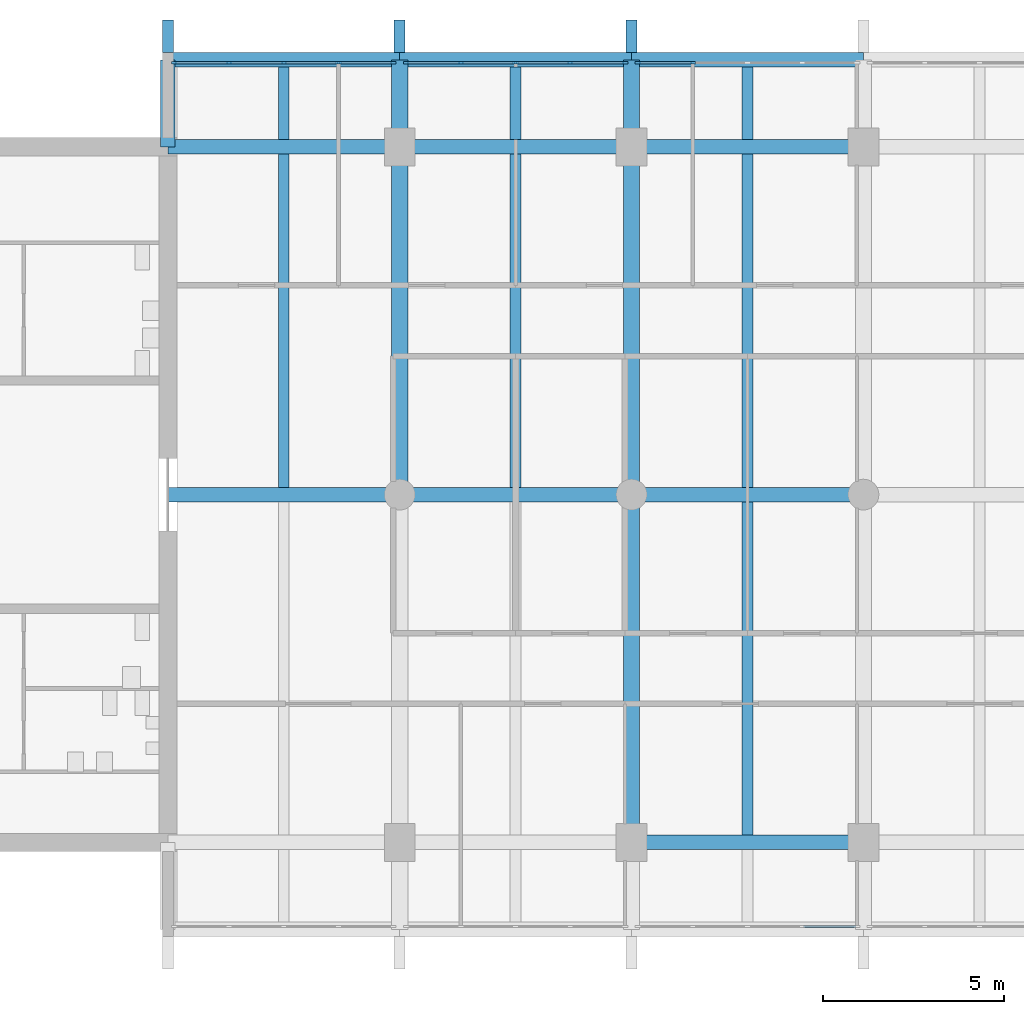
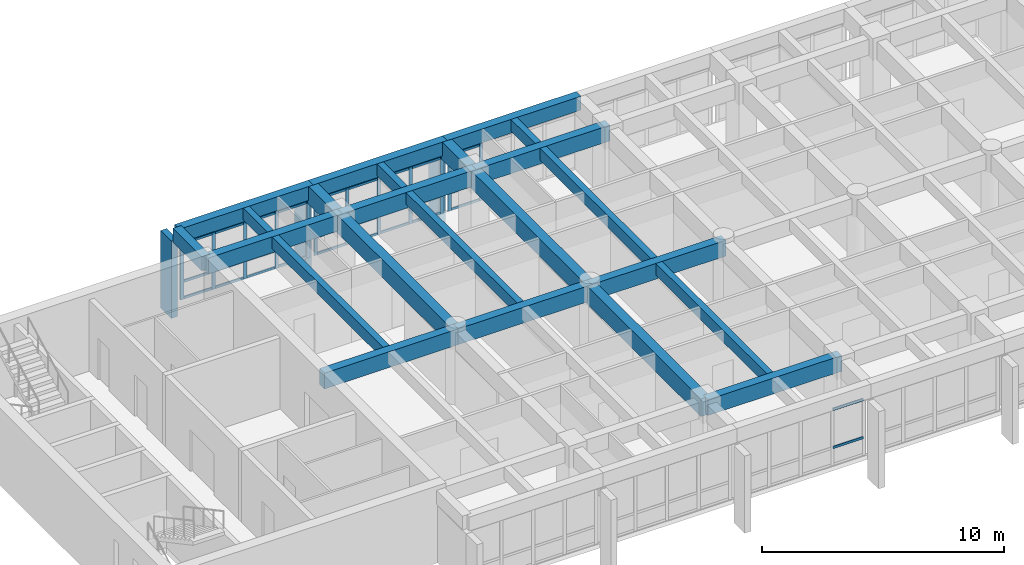
# One storey, part 3 of 15: 44 members, 23 beams, 4 elements without a shape of their own.
"""IFC4 building model written with IfcOpenShell, lengths in metres."""

from ifc_helpers import new_model, si_unit, direction, frame, origin, origin_2d, place, context, subcontext, project, spatial, rectangle, extrude, material, layer, layer_set, material_profile, profile_set, type_object, element, aggregate, save


model = new_model("IFC4")

# Units and contexts
model_context = context("Model", 3, precision=1e-05, world=origin(), true_north=direction((0.0, 1.0)))
body_context = subcontext(model_context, "Body", "Model", "MODEL_VIEW")
ifc_project = project(units=[si_unit("LENGTHUNIT", "METRE"), si_unit("AREAUNIT", "SQUARE_METRE"), si_unit("VOLUMEUNIT", "CUBIC_METRE"), si_unit("PLANEANGLEUNIT", "RADIAN"), si_unit("MASSUNIT", "GRAM", prefix="KILO")], contexts=[model_context])

# Site, building, storey
site_placement = place(None, origin())
site = spatial("IfcSite", under=ifc_project, at=site_placement, CompositionType="ELEMENT")
building_placement = place(site_placement, origin())
building = spatial("IfcBuilding", under=site, at=building_placement, Name="Fogon Plaza Fire Station and Headquarters Tower", CompositionType="ELEMENT")
storey_placement = place(building_placement, frame((0.0, 0.0, 52.199951171875)))
storey = spatial("IfcBuildingStorey", under=building, at=storey_placement, Name="L13", CompositionType="ELEMENT", Elevation=52.199951171875)

# Beams
ifc_material_1 = material(Name="Concrete C40", Category="concrete")
ifc_material_profile_1 = material_profile(ifc_material_1, rectangle(XDim=0.39990234375, YDim=0.699951171875, at=origin_2d()), Name="RC 400x700")
ifc_profile_set_1 = profile_set([ifc_material_profile_1], Name="Concrete C40")
beam_type_1 = type_object("IfcBeamType", Name="BEAM RC 400x700", PredefinedType="BEAM", material=ifc_profile_set_1)
for number, where, z_axis, x_axis, name in (
    (1, (25.60009765625, 55.199951171875, 3.330078125), (1.0, 0.0, 0.0), (0.0, 1.0, 0.0), "beam-L13-045"),
    (2, (32.0, 55.199951171875, 3.330078125), (1.0, 0.0, 0.0), (0.0, 1.0, 0.0), "beam-L13-046"),
):
    element("IfcBeam", number, at=place(storey_placement, frame(where, z_axis=z_axis, x_axis=x_axis)), inside=storey, type_object=beam_type_1, Name=name, PredefinedType="BEAM", context=body_context, shape_type="SweptSolid", body=[
        extrude(rectangle(XDim=0.39990234375, YDim=0.699951171875, at=origin_2d()), origin(), (0.0, 0.0, 1.0), 6.39990234375),
    ])
beam_1_placement = place(storey_placement, frame((38.39990234375, 55.199951171875, 3.330078125), z_axis=(1.0, 0.0, 0.0), x_axis=(0.0, 1.0, 0.0)))
element("IfcBeam", 3, at=beam_1_placement, inside=storey, type_object=beam_type_1, Name="beam-L13-047", PredefinedType="BEAM", context=body_context, shape_type="SweptSolid", body=[
    extrude(rectangle(XDim=0.39990234375, YDim=0.699951171875, at=origin_2d()), origin(), (0.0, 0.0, 1.0), 6.400146484375),
])
ifc_material_2 = material(Name="Concrete C40", Category="concrete")
ifc_material_profile_2 = material_profile(ifc_material_2, rectangle(XDim=0.39990234375, YDim=0.699951171875, at=origin_2d()), Name="RC 400x700")
ifc_profile_set_2 = profile_set([ifc_material_profile_2], Name="Concrete C40")
beam_type_2 = type_object("IfcBeamType", Name="BEAM RC 400x700 SPAN 0.0 TO 3.0 M", PredefinedType="BEAM", material=ifc_profile_set_2)
beam_2_placement = place(storey_placement, frame((25.60009765625, 52.800048828125, 3.330078125), z_axis=(0.0, 1.0, 0.0), x_axis=(-1.0, 0.0, 0.0)))
element("IfcBeam", 4, at=beam_2_placement, inside=storey, type_object=beam_type_2, Name="beam-L13-052", PredefinedType="BEAM", context=body_context, shape_type="SweptSolid", body=[
    extrude(rectangle(XDim=0.39990234375, YDim=0.699951171875, at=origin_2d()), origin(), (0.0, 0.0, 1.0), 2.39990234375),
])
ifc_material_3 = material(Name="Concrete C40", Category="concrete")
ifc_material_profile_3 = material_profile(ifc_material_3, rectangle(XDim=0.39990234375, YDim=0.800048828125, at=origin_2d()), Name="RC 400x800")
ifc_profile_set_3 = profile_set([ifc_material_profile_3], Name="Concrete C40")
beam_type_3 = type_object("IfcBeamType", Name="BEAM RC 400x800", PredefinedType="BEAM", material=ifc_profile_set_3)
beam_3_placement = place(storey_placement, frame((38.39990234375, 33.60009765625, 3.280029296875), z_axis=(1.0, 0.0, 0.0), x_axis=(0.0, 1.0, 0.0)))
element("IfcBeam", 5, at=beam_3_placement, inside=storey, type_object=beam_type_3, Name="beam-L13-023", PredefinedType="BEAM", context=body_context, shape_type="SweptSolid", body=[
    extrude(rectangle(XDim=0.39990234375, YDim=0.800048828125, at=origin_2d()), origin(), (0.0, 0.0, 1.0), 6.400146484375),
])
for number, where, z_axis, x_axis, name in (
    (6, (25.60009765625, 43.199951171875, 3.280029296875), (1.0, 0.0, 0.0), (0.0, 1.0, 0.0), "beam-L13-027"),
    (7, (32.0, 43.199951171875, 3.280029296875), (1.0, 0.0, 0.0), (0.0, 1.0, 0.0), "beam-L13-028"),
):
    element("IfcBeam", number, at=place(storey_placement, frame(where, z_axis=z_axis, x_axis=x_axis)), inside=storey, type_object=beam_type_3, Name=name, PredefinedType="BEAM", context=body_context, shape_type="SweptSolid", body=[
        extrude(rectangle(XDim=0.39990234375, YDim=0.800048828125, at=origin_2d()), origin(), (0.0, 0.0, 1.0), 6.39990234375),
    ])
beam_4_placement = place(storey_placement, frame((38.39990234375, 43.199951171875, 3.280029296875), z_axis=(1.0, 0.0, 0.0), x_axis=(0.0, 1.0, 0.0)))
element("IfcBeam", 8, at=beam_4_placement, inside=storey, type_object=beam_type_3, Name="beam-L13-029", PredefinedType="BEAM", context=body_context, shape_type="SweptSolid", body=[
    extrude(rectangle(XDim=0.39990234375, YDim=0.800048828125, at=origin_2d()), origin(), (0.0, 0.0, 1.0), 6.400146484375),
])
for number, where, z_axis, x_axis, name in (
    (9, (25.60009765625, 52.800048828125, 3.280029296875), (1.0, 0.0, 0.0), (0.0, 1.0, 0.0), "beam-L13-033"),
    (10, (32.0, 52.800048828125, 3.280029296875), (1.0, 0.0, 0.0), (0.0, 1.0, 0.0), "beam-L13-034"),
):
    element("IfcBeam", number, at=place(storey_placement, frame(where, z_axis=z_axis, x_axis=x_axis)), inside=storey, type_object=beam_type_3, Name=name, PredefinedType="BEAM", context=body_context, shape_type="SweptSolid", body=[
        extrude(rectangle(XDim=0.39990234375, YDim=0.800048828125, at=origin_2d()), origin(), (0.0, 0.0, 1.0), 6.39990234375),
    ])
beam_5_placement = place(storey_placement, frame((38.39990234375, 52.800048828125, 3.280029296875), z_axis=(1.0, 0.0, 0.0), x_axis=(0.0, 1.0, 0.0)))
element("IfcBeam", 11, at=beam_5_placement, inside=storey, type_object=beam_type_3, Name="beam-L13-035", PredefinedType="BEAM", context=body_context, shape_type="SweptSolid", body=[
    extrude(rectangle(XDim=0.39990234375, YDim=0.800048828125, at=origin_2d()), origin(), (0.0, 0.0, 1.0), 6.400146484375),
])
ifc_material_4 = material(Name="Concrete C40", Category="concrete")
ifc_material_profile_4 = material_profile(ifc_material_4, rectangle(XDim=0.449951171875, YDim=0.89990234375, at=origin_2d()), Name="RC 450x900")
ifc_profile_set_4 = profile_set([ifc_material_profile_4], Name="Concrete C40")
beam_type_4 = type_object("IfcBeamType", Name="BEAM RC 450x900", PredefinedType="BEAM", material=ifc_profile_set_4)
beam_6_placement = place(storey_placement, frame((32.0, 43.199951171875, 3.22998046875), z_axis=(0.0, 1.0, 0.0), x_axis=(-1.0, 0.0, 0.0)))
element("IfcBeam", 12, at=beam_6_placement, inside=storey, type_object=beam_type_4, Name="beam-L13-003", PredefinedType="BEAM", context=body_context, shape_type="SweptSolid", body=[
    extrude(rectangle(XDim=0.449951171875, YDim=0.89990234375, at=origin_2d()), origin(), (0.0, 0.0, 1.0), 9.60009765625),
])
beam_7_placement = place(storey_placement, frame((38.39990234375, 33.60009765625, 3.22998046875), z_axis=(0.0, 1.0, 0.0), x_axis=(-1.0, 0.0, 0.0)))
element("IfcBeam", 13, at=beam_7_placement, inside=storey, type_object=beam_type_4, Name="beam-L13-006", PredefinedType="BEAM", context=body_context, shape_type="SweptSolid", body=[
    extrude(rectangle(XDim=0.449951171875, YDim=0.89990234375, at=origin_2d()), origin(), (0.0, 0.0, 1.0), 9.599853515625),
])
beam_8_placement = place(storey_placement, frame((38.39990234375, 43.199951171875, 3.22998046875), z_axis=(0.0, 1.0, 0.0), x_axis=(-1.0, 0.0, 0.0)))
element("IfcBeam", 14, at=beam_8_placement, inside=storey, type_object=beam_type_4, Name="beam-L13-007", PredefinedType="BEAM", context=body_context, shape_type="SweptSolid", body=[
    extrude(rectangle(XDim=0.449951171875, YDim=0.89990234375, at=origin_2d()), origin(), (0.0, 0.0, 1.0), 9.60009765625),
])
ifc_material_5 = material(Name="Concrete C40", Category="concrete")
ifc_material_profile_5 = material_profile(ifc_material_5, rectangle(XDim=0.449951171875, YDim=0.89990234375, at=origin_2d()), Name="RC 450x900")
ifc_profile_set_5 = profile_set([ifc_material_profile_5], Name="Concrete C40")
beam_type_5 = type_object("IfcBeamType", Name="BEAM RC 450x900 SPAN 0.0 TO 3.0 M", PredefinedType="BEAM", material=ifc_profile_set_5)
for number, where, z_axis, x_axis, name in (
    (15, (32.0, 52.800048828125, 3.22998046875), (0.0, 1.0, 0.0), (-1.0, 0.0, 0.0), "beam-L13-004"),
    (16, (38.39990234375, 52.800048828125, 3.22998046875), (0.0, 1.0, 0.0), (-1.0, 0.0, 0.0), "beam-L13-008"),
):
    element("IfcBeam", number, at=place(storey_placement, frame(where, z_axis=z_axis, x_axis=x_axis)), inside=storey, type_object=beam_type_5, Name=name, PredefinedType="BEAM", context=body_context, shape_type="SweptSolid", body=[
        extrude(rectangle(XDim=0.449951171875, YDim=0.89990234375, at=origin_2d()), origin(), (0.0, 0.0, 1.0), 2.39990234375),
    ])

# Curtain wall, members
ifc_material_6 = material(Name="Aluminium and glass", Category="aluminium")
ifc_layer = layer(ifc_material_6, 0.14990234375)
ifc_layer_set = layer_set([ifc_layer], Name="Aluminium and glass")
curtain_wall_type = type_object("IfcCurtainWallType", Name="Unitised Curtain Wall Run 6100x2880", PredefinedType="NOTDEFINED", material=ifc_layer_set)
curtain_wall_1_placement = place(storey_placement, origin())
curtain_wall_1 = element("IfcCurtainWall", 17, at=curtain_wall_1_placement, inside=storey, type_object=curtain_wall_type, Name="CW-6100x2880 N1 L13", PredefinedType="NOTDEFINED")
ifc_material_7 = material(Name="Aluminium", Category="aluminium")
ifc_material_profile_6 = material_profile(ifc_material_7, rectangle(XDim=0.06005859375, YDim=0.159912109375, at=origin_2d()), Name="Curtain Wall Mullion 60x160")
ifc_profile_set_6 = profile_set([ifc_material_profile_6], Name="Aluminium")
member_type_1 = type_object("IfcMemberType", Name="Curtain Wall Mullion 60x160", PredefinedType="MULLION", material=ifc_profile_set_6)
member_1_placement = place(storey_placement, frame((25.780029296875, 55.1201171875, 0.0), z_axis=(0.0, 0.0, 1.0), x_axis=(0.0, 1.0, 0.0)))
member_1 = element("IfcMember", 18, at=member_1_placement, type_object=member_type_1, Name="CW-6100x2880 mullion 1", PredefinedType="MULLION", context=body_context, shape_type="SweptSolid", body=[
    extrude(rectangle(XDim=0.06005859375, YDim=0.159912109375, at=origin_2d()), origin(), (0.0, 0.0, 1.0), 2.880126953125),
])
member_2_placement = place(storey_placement, frame((27.2900390625, 55.1201171875, 0.0), z_axis=(0.0, 0.0, 1.0), x_axis=(0.0, 1.0, 0.0)))
member_2 = element("IfcMember", 19, at=member_2_placement, type_object=member_type_1, Name="CW-6100x2880 mullion 2", PredefinedType="MULLION", context=body_context, shape_type="SweptSolid", body=[
    extrude(rectangle(XDim=0.06005859375, YDim=0.159912109375, at=origin_2d()), origin(), (0.0, 0.0, 1.0), 2.880126953125),
])
member_3_placement = place(storey_placement, frame((28.800048828125, 55.1201171875, 0.0), z_axis=(0.0, 0.0, 1.0), x_axis=(0.0, 1.0, 0.0)))
member_3 = element("IfcMember", 20, at=member_3_placement, type_object=member_type_1, Name="CW-6100x2880 mullion 3", PredefinedType="MULLION", context=body_context, shape_type="SweptSolid", body=[
    extrude(rectangle(XDim=0.06005859375, YDim=0.159912109375, at=origin_2d()), origin(), (0.0, 0.0, 1.0), 2.880126953125),
])
member_4_placement = place(storey_placement, frame((30.31005859375, 55.1201171875, 0.0), z_axis=(0.0, 0.0, 1.0), x_axis=(0.0, 1.0, 0.0)))
member_4 = element("IfcMember", 21, at=member_4_placement, type_object=member_type_1, Name="CW-6100x2880 mullion 4", PredefinedType="MULLION", context=body_context, shape_type="SweptSolid", body=[
    extrude(rectangle(XDim=0.06005859375, YDim=0.159912109375, at=origin_2d()), origin(), (0.0, 0.0, 1.0), 2.880126953125),
])
member_5_placement = place(storey_placement, frame((31.820068359375, 55.1201171875, 0.0), z_axis=(0.0, 0.0, 1.0), x_axis=(0.0, 1.0, 0.0)))
member_5 = element("IfcMember", 22, at=member_5_placement, type_object=member_type_1, Name="CW-6100x2880 mullion 5", PredefinedType="MULLION", context=body_context, shape_type="SweptSolid", body=[
    extrude(rectangle(XDim=0.06005859375, YDim=0.159912109375, at=origin_2d()), origin(), (0.0, 0.0, 1.0), 2.880126953125),
])

curtain_wall_2_placement = place(storey_placement, origin())
curtain_wall_2 = element("IfcCurtainWall", 23, at=curtain_wall_2_placement, inside=storey, type_object=curtain_wall_type, Name="CW-6100x2880 N2 L13", PredefinedType="NOTDEFINED")
member_6_placement = place(storey_placement, frame((32.179931640625, 55.1201171875, 0.0), z_axis=(0.0, 0.0, 1.0), x_axis=(0.0, 1.0, 0.0)))
member_6 = element("IfcMember", 24, at=member_6_placement, type_object=member_type_1, Name="CW-6100x2880 mullion 1", PredefinedType="MULLION", context=body_context, shape_type="SweptSolid", body=[
    extrude(rectangle(XDim=0.06005859375, YDim=0.159912109375, at=origin_2d()), origin(), (0.0, 0.0, 1.0), 2.880126953125),
])
member_7_placement = place(storey_placement, frame((33.68994140625, 55.1201171875, 0.0), z_axis=(0.0, 0.0, 1.0), x_axis=(0.0, 1.0, 0.0)))
member_7 = element("IfcMember", 25, at=member_7_placement, type_object=member_type_1, Name="CW-6100x2880 mullion 2", PredefinedType="MULLION", context=body_context, shape_type="SweptSolid", body=[
    extrude(rectangle(XDim=0.06005859375, YDim=0.159912109375, at=origin_2d()), origin(), (0.0, 0.0, 1.0), 2.880126953125),
])
member_8_placement = place(storey_placement, frame((35.199951171875, 55.1201171875, 0.0), z_axis=(0.0, 0.0, 1.0), x_axis=(0.0, 1.0, 0.0)))
member_8 = element("IfcMember", 26, at=member_8_placement, type_object=member_type_1, Name="CW-6100x2880 mullion 3", PredefinedType="MULLION", context=body_context, shape_type="SweptSolid", body=[
    extrude(rectangle(XDim=0.06005859375, YDim=0.159912109375, at=origin_2d()), origin(), (0.0, 0.0, 1.0), 2.880126953125),
])
member_9_placement = place(storey_placement, frame((36.7099609375, 55.1201171875, 0.0), z_axis=(0.0, 0.0, 1.0), x_axis=(0.0, 1.0, 0.0)))
member_9 = element("IfcMember", 27, at=member_9_placement, type_object=member_type_1, Name="CW-6100x2880 mullion 4", PredefinedType="MULLION", context=body_context, shape_type="SweptSolid", body=[
    extrude(rectangle(XDim=0.06005859375, YDim=0.159912109375, at=origin_2d()), origin(), (0.0, 0.0, 1.0), 2.880126953125),
])
member_10_placement = place(storey_placement, frame((38.219970703125, 55.1201171875, 0.0), z_axis=(0.0, 0.0, 1.0), x_axis=(0.0, 1.0, 0.0)))
member_10 = element("IfcMember", 28, at=member_10_placement, type_object=member_type_1, Name="CW-6100x2880 mullion 5", PredefinedType="MULLION", context=body_context, shape_type="SweptSolid", body=[
    extrude(rectangle(XDim=0.06005859375, YDim=0.159912109375, at=origin_2d()), origin(), (0.0, 0.0, 1.0), 2.880126953125),
])

curtain_wall_3_placement = place(storey_placement, origin())
curtain_wall_3 = element("IfcCurtainWall", 29, at=curtain_wall_3_placement, inside=storey, type_object=curtain_wall_type, Name="CW-6100x2880 N3 L13", PredefinedType="NOTDEFINED")
member_11_placement = place(storey_placement, frame((38.580078125, 55.1201171875, 0.0), z_axis=(0.0, 0.0, 1.0), x_axis=(0.0, 1.0, 0.0)))
member_11 = element("IfcMember", 30, at=member_11_placement, type_object=member_type_1, Name="CW-6100x2880 mullion 1", PredefinedType="MULLION", context=body_context, shape_type="SweptSolid", body=[
    extrude(rectangle(XDim=0.06005859375, YDim=0.159912109375, at=origin_2d()), origin(), (0.0, 0.0, 1.0), 2.880126953125),
])
member_12_placement = place(storey_placement, frame((40.090087890625, 55.1201171875, 0.0), z_axis=(0.0, 0.0, 1.0), x_axis=(0.0, 1.0, 0.0)))
member_12 = element("IfcMember", 31, at=member_12_placement, type_object=member_type_1, Name="CW-6100x2880 mullion 2", PredefinedType="MULLION", context=body_context, shape_type="SweptSolid", body=[
    extrude(rectangle(XDim=0.06005859375, YDim=0.159912109375, at=origin_2d()), origin(), (0.0, 0.0, 1.0), 2.880126953125),
])

curtain_wall_4_placement = place(storey_placement, origin())
curtain_wall_4 = element("IfcCurtainWall", 32, at=curtain_wall_4_placement, inside=storey, type_object=curtain_wall_type, Name="CW-6100x2880 S3 L13", PredefinedType="NOTDEFINED")
ifc_material_8 = material(Name="Aluminium", Category="aluminium")
ifc_material_profile_7 = material_profile(ifc_material_8, rectangle(XDim=0.06005859375, YDim=0.1201171875, at=origin_2d()), Name="Curtain Wall Transom 60x120")
ifc_profile_set_7 = profile_set([ifc_material_profile_7], Name="Aluminium")
member_type_2 = type_object("IfcMemberType", Name="Curtain Wall Transom 60x120", PredefinedType="USERDEFINED", material=ifc_profile_set_7)
member_13_placement = place(storey_placement, frame((43.139892578125, 31.280029296875, 0.900146484375), z_axis=(1.0, 0.0, 0.0), x_axis=(0.0, 1.0, 0.0)))
member_13 = element("IfcMember", 33, at=member_13_placement, type_object=member_type_2, Name="CW-6100x2880 transom 4.2", ObjectType="TRANSOM", PredefinedType="USERDEFINED", context=body_context, shape_type="SweptSolid", body=[
    extrude(rectangle(XDim=0.06005859375, YDim=0.1201171875, at=origin_2d()), origin(), (0.0, 0.0, 1.0), 1.4501953125),
])
member_14_placement = place(storey_placement, frame((43.139892578125, 31.280029296875, 2.820068359375), z_axis=(1.0, 0.0, 0.0), x_axis=(0.0, 1.0, 0.0)))
member_14 = element("IfcMember", 34, at=member_14_placement, type_object=member_type_2, Name="CW-6100x2880 transom 4.3", ObjectType="TRANSOM", PredefinedType="USERDEFINED", context=body_context, shape_type="SweptSolid", body=[
    extrude(rectangle(XDim=0.06005859375, YDim=0.1201171875, at=origin_2d()), origin(), (0.0, 0.0, 1.0), 1.4501953125),
])
aggregate(curtain_wall_4, [member_13, member_14])

# Member
member_15_placement = place(storey_placement, frame((25.81005859375, 55.1201171875, 0.06005859375), z_axis=(1.0, 0.0, 0.0), x_axis=(0.0, 1.0, 0.0)))
member_15 = element("IfcMember", 35, at=member_15_placement, type_object=member_type_2, Name="CW-6100x2880 transom 1.1", ObjectType="TRANSOM", PredefinedType="USERDEFINED", context=body_context, shape_type="SweptSolid", body=[
    extrude(rectangle(XDim=0.06005859375, YDim=0.1201171875, at=origin_2d()), origin(), (0.0, 0.0, 1.0), 1.449951171875),
])

member_16_placement = place(storey_placement, frame((25.81005859375, 55.1201171875, 0.900146484375), z_axis=(1.0, 0.0, 0.0), x_axis=(0.0, 1.0, 0.0)))
member_16 = element("IfcMember", 36, at=member_16_placement, type_object=member_type_2, Name="CW-6100x2880 transom 1.2", ObjectType="TRANSOM", PredefinedType="USERDEFINED", context=body_context, shape_type="SweptSolid", body=[
    extrude(rectangle(XDim=0.06005859375, YDim=0.1201171875, at=origin_2d()), origin(), (0.0, 0.0, 1.0), 1.449951171875),
])

member_17_placement = place(storey_placement, frame((25.81005859375, 55.1201171875, 2.820068359375), z_axis=(1.0, 0.0, 0.0), x_axis=(0.0, 1.0, 0.0)))
member_17 = element("IfcMember", 37, at=member_17_placement, type_object=member_type_2, Name="CW-6100x2880 transom 1.3", ObjectType="TRANSOM", PredefinedType="USERDEFINED", context=body_context, shape_type="SweptSolid", body=[
    extrude(rectangle(XDim=0.06005859375, YDim=0.1201171875, at=origin_2d()), origin(), (0.0, 0.0, 1.0), 1.449951171875),
])

member_18_placement = place(storey_placement, frame((27.320068359375, 55.1201171875, 0.06005859375), z_axis=(1.0, 0.0, 0.0), x_axis=(0.0, 1.0, 0.0)))
member_18 = element("IfcMember", 38, at=member_18_placement, type_object=member_type_2, Name="CW-6100x2880 transom 2.1", ObjectType="TRANSOM", PredefinedType="USERDEFINED", context=body_context, shape_type="SweptSolid", body=[
    extrude(rectangle(XDim=0.06005859375, YDim=0.1201171875, at=origin_2d()), origin(), (0.0, 0.0, 1.0), 1.449951171875),
])

member_19_placement = place(storey_placement, frame((27.320068359375, 55.1201171875, 0.900146484375), z_axis=(1.0, 0.0, 0.0), x_axis=(0.0, 1.0, 0.0)))
member_19 = element("IfcMember", 39, at=member_19_placement, type_object=member_type_2, Name="CW-6100x2880 transom 2.2", ObjectType="TRANSOM", PredefinedType="USERDEFINED", context=body_context, shape_type="SweptSolid", body=[
    extrude(rectangle(XDim=0.06005859375, YDim=0.1201171875, at=origin_2d()), origin(), (0.0, 0.0, 1.0), 1.449951171875),
])

member_20_placement = place(storey_placement, frame((27.320068359375, 55.1201171875, 2.820068359375), z_axis=(1.0, 0.0, 0.0), x_axis=(0.0, 1.0, 0.0)))
member_20 = element("IfcMember", 40, at=member_20_placement, type_object=member_type_2, Name="CW-6100x2880 transom 2.3", ObjectType="TRANSOM", PredefinedType="USERDEFINED", context=body_context, shape_type="SweptSolid", body=[
    extrude(rectangle(XDim=0.06005859375, YDim=0.1201171875, at=origin_2d()), origin(), (0.0, 0.0, 1.0), 1.449951171875),
])

member_21_placement = place(storey_placement, frame((28.830078125, 55.1201171875, 0.06005859375), z_axis=(1.0, 0.0, 0.0), x_axis=(0.0, 1.0, 0.0)))
member_21 = element("IfcMember", 41, at=member_21_placement, type_object=member_type_2, Name="CW-6100x2880 transom 3.1", ObjectType="TRANSOM", PredefinedType="USERDEFINED", context=body_context, shape_type="SweptSolid", body=[
    extrude(rectangle(XDim=0.06005859375, YDim=0.1201171875, at=origin_2d()), origin(), (0.0, 0.0, 1.0), 1.449951171875),
])

member_22_placement = place(storey_placement, frame((28.830078125, 55.1201171875, 0.900146484375), z_axis=(1.0, 0.0, 0.0), x_axis=(0.0, 1.0, 0.0)))
member_22 = element("IfcMember", 42, at=member_22_placement, type_object=member_type_2, Name="CW-6100x2880 transom 3.2", ObjectType="TRANSOM", PredefinedType="USERDEFINED", context=body_context, shape_type="SweptSolid", body=[
    extrude(rectangle(XDim=0.06005859375, YDim=0.1201171875, at=origin_2d()), origin(), (0.0, 0.0, 1.0), 1.449951171875),
])

member_23_placement = place(storey_placement, frame((28.830078125, 55.1201171875, 2.820068359375), z_axis=(1.0, 0.0, 0.0), x_axis=(0.0, 1.0, 0.0)))
member_23 = element("IfcMember", 43, at=member_23_placement, type_object=member_type_2, Name="CW-6100x2880 transom 3.3", ObjectType="TRANSOM", PredefinedType="USERDEFINED", context=body_context, shape_type="SweptSolid", body=[
    extrude(rectangle(XDim=0.06005859375, YDim=0.1201171875, at=origin_2d()), origin(), (0.0, 0.0, 1.0), 1.449951171875),
])

member_24_placement = place(storey_placement, frame((30.340087890625, 55.1201171875, 0.06005859375), z_axis=(1.0, 0.0, 0.0), x_axis=(0.0, 1.0, 0.0)))
member_24 = element("IfcMember", 44, at=member_24_placement, type_object=member_type_2, Name="CW-6100x2880 transom 4.1", ObjectType="TRANSOM", PredefinedType="USERDEFINED", context=body_context, shape_type="SweptSolid", body=[
    extrude(rectangle(XDim=0.06005859375, YDim=0.1201171875, at=origin_2d()), origin(), (0.0, 0.0, 1.0), 1.449951171875),
])

member_25_placement = place(storey_placement, frame((30.340087890625, 55.1201171875, 0.900146484375), z_axis=(1.0, 0.0, 0.0), x_axis=(0.0, 1.0, 0.0)))
member_25 = element("IfcMember", 45, at=member_25_placement, type_object=member_type_2, Name="CW-6100x2880 transom 4.2", ObjectType="TRANSOM", PredefinedType="USERDEFINED", context=body_context, shape_type="SweptSolid", body=[
    extrude(rectangle(XDim=0.06005859375, YDim=0.1201171875, at=origin_2d()), origin(), (0.0, 0.0, 1.0), 1.449951171875),
])

member_26_placement = place(storey_placement, frame((30.340087890625, 55.1201171875, 2.820068359375), z_axis=(1.0, 0.0, 0.0), x_axis=(0.0, 1.0, 0.0)))
member_26 = element("IfcMember", 46, at=member_26_placement, type_object=member_type_2, Name="CW-6100x2880 transom 4.3", ObjectType="TRANSOM", PredefinedType="USERDEFINED", context=body_context, shape_type="SweptSolid", body=[
    extrude(rectangle(XDim=0.06005859375, YDim=0.1201171875, at=origin_2d()), origin(), (0.0, 0.0, 1.0), 1.449951171875),
])

aggregate(curtain_wall_1, [member_1, member_2, member_3, member_4, member_5, member_15, member_16, member_17, member_18, member_19, member_20, member_21, member_22, member_23, member_24, member_25, member_26])

member_27_placement = place(storey_placement, frame((32.2099609375, 55.1201171875, 0.06005859375), z_axis=(1.0, 0.0, 0.0), x_axis=(0.0, 1.0, 0.0)))
member_27 = element("IfcMember", 47, at=member_27_placement, type_object=member_type_2, Name="CW-6100x2880 transom 1.1", ObjectType="TRANSOM", PredefinedType="USERDEFINED", context=body_context, shape_type="SweptSolid", body=[
    extrude(rectangle(XDim=0.06005859375, YDim=0.1201171875, at=origin_2d()), origin(), (0.0, 0.0, 1.0), 1.449951171875),
])

member_28_placement = place(storey_placement, frame((32.2099609375, 55.1201171875, 0.900146484375), z_axis=(1.0, 0.0, 0.0), x_axis=(0.0, 1.0, 0.0)))
member_28 = element("IfcMember", 48, at=member_28_placement, type_object=member_type_2, Name="CW-6100x2880 transom 1.2", ObjectType="TRANSOM", PredefinedType="USERDEFINED", context=body_context, shape_type="SweptSolid", body=[
    extrude(rectangle(XDim=0.06005859375, YDim=0.1201171875, at=origin_2d()), origin(), (0.0, 0.0, 1.0), 1.449951171875),
])

member_29_placement = place(storey_placement, frame((32.2099609375, 55.1201171875, 2.820068359375), z_axis=(1.0, 0.0, 0.0), x_axis=(0.0, 1.0, 0.0)))
member_29 = element("IfcMember", 49, at=member_29_placement, type_object=member_type_2, Name="CW-6100x2880 transom 1.3", ObjectType="TRANSOM", PredefinedType="USERDEFINED", context=body_context, shape_type="SweptSolid", body=[
    extrude(rectangle(XDim=0.06005859375, YDim=0.1201171875, at=origin_2d()), origin(), (0.0, 0.0, 1.0), 1.449951171875),
])

member_30_placement = place(storey_placement, frame((33.719970703125, 55.1201171875, 0.06005859375), z_axis=(1.0, 0.0, 0.0), x_axis=(0.0, 1.0, 0.0)))
member_30 = element("IfcMember", 50, at=member_30_placement, type_object=member_type_2, Name="CW-6100x2880 transom 2.1", ObjectType="TRANSOM", PredefinedType="USERDEFINED", context=body_context, shape_type="SweptSolid", body=[
    extrude(rectangle(XDim=0.06005859375, YDim=0.1201171875, at=origin_2d()), origin(), (0.0, 0.0, 1.0), 1.449951171875),
])

member_31_placement = place(storey_placement, frame((33.719970703125, 55.1201171875, 0.900146484375), z_axis=(1.0, 0.0, 0.0), x_axis=(0.0, 1.0, 0.0)))
member_31 = element("IfcMember", 51, at=member_31_placement, type_object=member_type_2, Name="CW-6100x2880 transom 2.2", ObjectType="TRANSOM", PredefinedType="USERDEFINED", context=body_context, shape_type="SweptSolid", body=[
    extrude(rectangle(XDim=0.06005859375, YDim=0.1201171875, at=origin_2d()), origin(), (0.0, 0.0, 1.0), 1.449951171875),
])

member_32_placement = place(storey_placement, frame((33.719970703125, 55.1201171875, 2.820068359375), z_axis=(1.0, 0.0, 0.0), x_axis=(0.0, 1.0, 0.0)))
member_32 = element("IfcMember", 52, at=member_32_placement, type_object=member_type_2, Name="CW-6100x2880 transom 2.3", ObjectType="TRANSOM", PredefinedType="USERDEFINED", context=body_context, shape_type="SweptSolid", body=[
    extrude(rectangle(XDim=0.06005859375, YDim=0.1201171875, at=origin_2d()), origin(), (0.0, 0.0, 1.0), 1.449951171875),
])

member_33_placement = place(storey_placement, frame((35.22998046875, 55.1201171875, 0.06005859375), z_axis=(1.0, 0.0, 0.0), x_axis=(0.0, 1.0, 0.0)))
member_33 = element("IfcMember", 53, at=member_33_placement, type_object=member_type_2, Name="CW-6100x2880 transom 3.1", ObjectType="TRANSOM", PredefinedType="USERDEFINED", context=body_context, shape_type="SweptSolid", body=[
    extrude(rectangle(XDim=0.06005859375, YDim=0.1201171875, at=origin_2d()), origin(), (0.0, 0.0, 1.0), 1.449951171875),
])

member_34_placement = place(storey_placement, frame((35.22998046875, 55.1201171875, 0.900146484375), z_axis=(1.0, 0.0, 0.0), x_axis=(0.0, 1.0, 0.0)))
member_34 = element("IfcMember", 54, at=member_34_placement, type_object=member_type_2, Name="CW-6100x2880 transom 3.2", ObjectType="TRANSOM", PredefinedType="USERDEFINED", context=body_context, shape_type="SweptSolid", body=[
    extrude(rectangle(XDim=0.06005859375, YDim=0.1201171875, at=origin_2d()), origin(), (0.0, 0.0, 1.0), 1.449951171875),
])

member_35_placement = place(storey_placement, frame((35.22998046875, 55.1201171875, 2.820068359375), z_axis=(1.0, 0.0, 0.0), x_axis=(0.0, 1.0, 0.0)))
member_35 = element("IfcMember", 55, at=member_35_placement, type_object=member_type_2, Name="CW-6100x2880 transom 3.3", ObjectType="TRANSOM", PredefinedType="USERDEFINED", context=body_context, shape_type="SweptSolid", body=[
    extrude(rectangle(XDim=0.06005859375, YDim=0.1201171875, at=origin_2d()), origin(), (0.0, 0.0, 1.0), 1.449951171875),
])

member_36_placement = place(storey_placement, frame((36.739990234375, 55.1201171875, 0.06005859375), z_axis=(1.0, 0.0, 0.0), x_axis=(0.0, 1.0, 0.0)))
member_36 = element("IfcMember", 56, at=member_36_placement, type_object=member_type_2, Name="CW-6100x2880 transom 4.1", ObjectType="TRANSOM", PredefinedType="USERDEFINED", context=body_context, shape_type="SweptSolid", body=[
    extrude(rectangle(XDim=0.06005859375, YDim=0.1201171875, at=origin_2d()), origin(), (0.0, 0.0, 1.0), 1.449951171875),
])

member_37_placement = place(storey_placement, frame((36.739990234375, 55.1201171875, 0.900146484375), z_axis=(1.0, 0.0, 0.0), x_axis=(0.0, 1.0, 0.0)))
member_37 = element("IfcMember", 57, at=member_37_placement, type_object=member_type_2, Name="CW-6100x2880 transom 4.2", ObjectType="TRANSOM", PredefinedType="USERDEFINED", context=body_context, shape_type="SweptSolid", body=[
    extrude(rectangle(XDim=0.06005859375, YDim=0.1201171875, at=origin_2d()), origin(), (0.0, 0.0, 1.0), 1.449951171875),
])

member_38_placement = place(storey_placement, frame((36.739990234375, 55.1201171875, 2.820068359375), z_axis=(1.0, 0.0, 0.0), x_axis=(0.0, 1.0, 0.0)))
member_38 = element("IfcMember", 58, at=member_38_placement, type_object=member_type_2, Name="CW-6100x2880 transom 4.3", ObjectType="TRANSOM", PredefinedType="USERDEFINED", context=body_context, shape_type="SweptSolid", body=[
    extrude(rectangle(XDim=0.06005859375, YDim=0.1201171875, at=origin_2d()), origin(), (0.0, 0.0, 1.0), 1.449951171875),
])

aggregate(curtain_wall_2, [member_6, member_7, member_8, member_9, member_10, member_27, member_28, member_29, member_30, member_31, member_32, member_33, member_34, member_35, member_36, member_37, member_38])

member_39_placement = place(storey_placement, frame((38.610107421875, 55.1201171875, 0.06005859375), z_axis=(1.0, 0.0, 0.0), x_axis=(0.0, 1.0, 0.0)))
member_39 = element("IfcMember", 59, at=member_39_placement, type_object=member_type_2, Name="CW-6100x2880 transom 1.1", ObjectType="TRANSOM", PredefinedType="USERDEFINED", context=body_context, shape_type="SweptSolid", body=[
    extrude(rectangle(XDim=0.06005859375, YDim=0.1201171875, at=origin_2d()), origin(), (0.0, 0.0, 1.0), 1.449951171875),
])

member_40_placement = place(storey_placement, frame((38.610107421875, 55.1201171875, 0.900146484375), z_axis=(1.0, 0.0, 0.0), x_axis=(0.0, 1.0, 0.0)))
member_40 = element("IfcMember", 60, at=member_40_placement, type_object=member_type_2, Name="CW-6100x2880 transom 1.2", ObjectType="TRANSOM", PredefinedType="USERDEFINED", context=body_context, shape_type="SweptSolid", body=[
    extrude(rectangle(XDim=0.06005859375, YDim=0.1201171875, at=origin_2d()), origin(), (0.0, 0.0, 1.0), 1.449951171875),
])

member_41_placement = place(storey_placement, frame((38.610107421875, 55.1201171875, 2.820068359375), z_axis=(1.0, 0.0, 0.0), x_axis=(0.0, 1.0, 0.0)))
member_41 = element("IfcMember", 61, at=member_41_placement, type_object=member_type_2, Name="CW-6100x2880 transom 1.3", ObjectType="TRANSOM", PredefinedType="USERDEFINED", context=body_context, shape_type="SweptSolid", body=[
    extrude(rectangle(XDim=0.06005859375, YDim=0.1201171875, at=origin_2d()), origin(), (0.0, 0.0, 1.0), 1.449951171875),
])

aggregate(curtain_wall_3, [member_11, member_12, member_39, member_40, member_41])

# Beams
ifc_material_9 = material(Name="Concrete C40", Category="concrete")
ifc_material_profile_8 = material_profile(ifc_material_9, rectangle(XDim=0.300048828125, YDim=0.60009765625, at=origin_2d()), Name="RC 300x600")
ifc_profile_set_8 = profile_set([ifc_material_profile_8], Name="Concrete C40")
beam_type_6 = type_object("IfcBeamType", Name="JOIST RC 300x600", PredefinedType="JOIST", material=ifc_profile_set_8)
for number, where, z_axis, x_axis, name in (
    (62, (28.800048828125, 43.39990234375, 3.380126953125), (0.0, 1.0, 0.0), (-1.0, 0.0, 0.0), "beam-L13-057"),
    (63, (35.199951171875, 43.39990234375, 3.380126953125), (0.0, 1.0, 0.0), (-1.0, 0.0, 0.0), "beam-L13-061"),
):
    element("IfcBeam", number, at=place(storey_placement, frame(where, z_axis=z_axis, x_axis=x_axis)), inside=storey, type_object=beam_type_6, Name=name, PredefinedType="JOIST", context=body_context, shape_type="SweptSolid", body=[
        extrude(rectangle(XDim=0.300048828125, YDim=0.60009765625, at=origin_2d()), origin(), (0.0, 0.0, 1.0), 9.2001953125),
    ])
beam_9_placement = place(storey_placement, frame((41.60009765625, 33.800048828125, 3.380126953125), z_axis=(0.0, 1.0, 0.0), x_axis=(-1.0, 0.0, 0.0)))
element("IfcBeam", 64, at=beam_9_placement, inside=storey, type_object=beam_type_6, Name="beam-L13-064", PredefinedType="JOIST", context=body_context, shape_type="SweptSolid", body=[
    extrude(rectangle(XDim=0.300048828125, YDim=0.60009765625, at=origin_2d()), origin(), (0.0, 0.0, 1.0), 9.199951171875),
])
beam_10_placement = place(storey_placement, frame((41.60009765625, 43.39990234375, 3.380126953125), z_axis=(0.0, 1.0, 0.0), x_axis=(-1.0, 0.0, 0.0)))
element("IfcBeam", 65, at=beam_10_placement, inside=storey, type_object=beam_type_6, Name="beam-L13-065", PredefinedType="JOIST", context=body_context, shape_type="SweptSolid", body=[
    extrude(rectangle(XDim=0.300048828125, YDim=0.60009765625, at=origin_2d()), origin(), (0.0, 0.0, 1.0), 9.2001953125),
])
ifc_material_10 = material(Name="Concrete C40", Category="concrete")
ifc_material_profile_9 = material_profile(ifc_material_10, rectangle(XDim=0.300048828125, YDim=0.60009765625, at=origin_2d()), Name="RC 300x600")
ifc_profile_set_9 = profile_set([ifc_material_profile_9], Name="Concrete C40")
beam_type_7 = type_object("IfcBeamType", Name="JOIST RC 300x600 SPAN 0.0 TO 3.0 M", PredefinedType="JOIST", material=ifc_profile_set_9)
for number, where, z_axis, x_axis, name in (
    (66, (28.800048828125, 53.0, 3.380126953125), (0.0, 1.0, 0.0), (-1.0, 0.0, 0.0), "beam-L13-058"),
    (67, (35.199951171875, 53.0, 3.380126953125), (0.0, 1.0, 0.0), (-1.0, 0.0, 0.0), "beam-L13-062"),
    (68, (41.60009765625, 53.0, 3.380126953125), (0.0, 1.0, 0.0), (-1.0, 0.0, 0.0), "beam-L13-066"),
):
    element("IfcBeam", number, at=place(storey_placement, frame(where, z_axis=z_axis, x_axis=x_axis)), inside=storey, type_object=beam_type_7, Name=name, PredefinedType="JOIST", context=body_context, shape_type="SweptSolid", body=[
        extrude(rectangle(XDim=0.300048828125, YDim=0.60009765625, at=origin_2d()), origin(), (0.0, 0.0, 1.0), 2.0),
    ])

# Members
ifc_material_11 = material(Name="Concrete C40 precast", Category="concrete")
ifc_material_profile_10 = material_profile(ifc_material_11, rectangle(XDim=0.300048828125, YDim=0.89990234375, at=origin_2d()), Name="Precast Concrete Post 300x900")
ifc_profile_set_10 = profile_set([ifc_material_profile_10], Name="Concrete C40 precast")
member_type_3 = type_object("IfcMemberType", Name="Precast Concrete Post 300x900", PredefinedType="POST", material=ifc_profile_set_10)
for number, where, z_axis, x_axis, name in (
    (69, (25.60009765625, 55.85009765625, -1.02001953125), (0.0, 0.0, 1.0), (1.0, 0.0, 0.0), "Precast Post N L13"),
    (70, (32.0, 55.85009765625, -1.02001953125), (0.0, 0.0, 1.0), (1.0, 0.0, 0.0), "Precast Post N L13"),
    (71, (38.39990234375, 55.85009765625, -1.02001953125), (0.0, 0.0, 1.0), (1.0, 0.0, 0.0), "Precast Post N L13"),
):
    element("IfcMember", number, at=place(storey_placement, frame(where, z_axis=z_axis, x_axis=x_axis)), inside=storey, type_object=member_type_3, Name=name, PredefinedType="POST", context=body_context, shape_type="SweptSolid", body=[
        extrude(rectangle(XDim=0.300048828125, YDim=0.89990234375, at=origin_2d()), origin(), (0.0, 0.0, 1.0), 3.900146484375),
    ])

save(model, "model.ifc")
